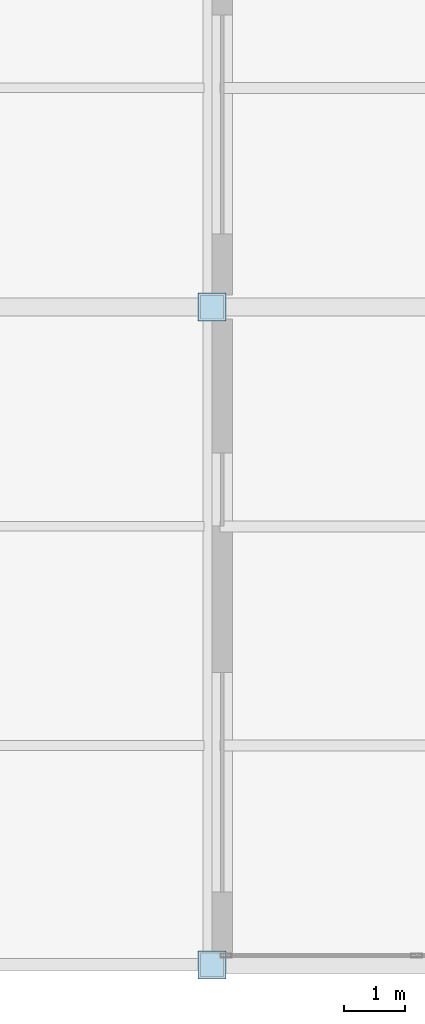
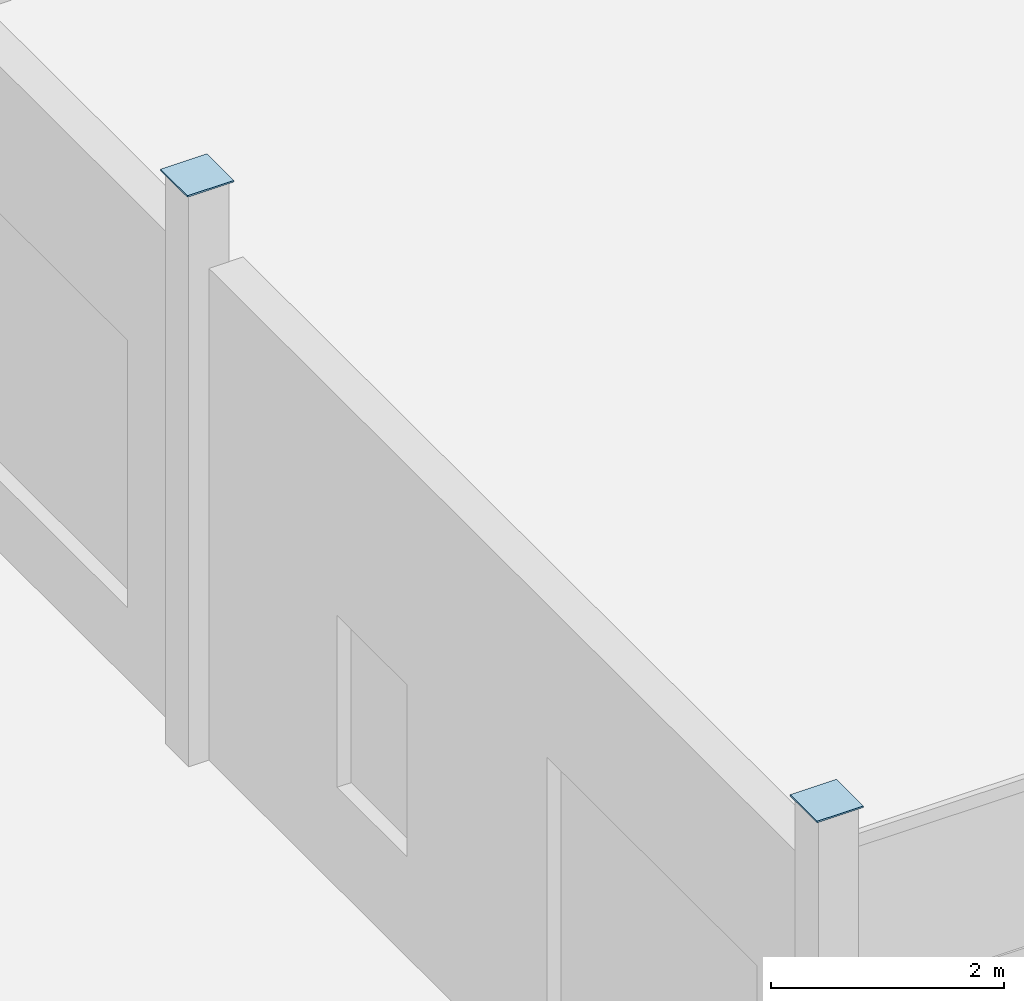
# One storey, part 166 of 191: 2 plates.
"""IFC4 building model written with IfcOpenShell, lengths in metres."""

from ifc_helpers import new_model, si_unit, direction, frame, origin, origin_2d, place, context, subcontext, project, spatial, rectangle, extrude, material, layer, layer_set, type_object, element, save


model = new_model("IFC4")

# Units and contexts
model_context = context("Model", 3, precision=1e-05, world=origin(), true_north=direction((0.0, 1.0)))
body_context = subcontext(model_context, "Body", "Model", "MODEL_VIEW")
ifc_project = project(units=[si_unit("LENGTHUNIT", "METRE"), si_unit("AREAUNIT", "SQUARE_METRE"), si_unit("VOLUMEUNIT", "CUBIC_METRE"), si_unit("PLANEANGLEUNIT", "RADIAN"), si_unit("MASSUNIT", "GRAM", prefix="KILO")], contexts=[model_context])

# Site, building, storey
site_placement = place(None, origin())
site = spatial("IfcSite", under=ifc_project, at=site_placement, CompositionType="ELEMENT")
building_placement = place(site_placement, origin())
building = spatial("IfcBuilding", under=site, at=building_placement, Name="Tamarisk Ironworks Central Station", CompositionType="ELEMENT")
storey_placement = place(building_placement, frame((0.0, 0.0, 6.60009765625)))
storey = spatial("IfcBuildingStorey", under=building, at=storey_placement, Name="L01", CompositionType="ELEMENT", Elevation=6.60009765625)

# Plates
ifc_material = material(Name="Painted structural steel S355J2", Category="steel")
ifc_layer = layer(ifc_material, 0.01611328125)
ifc_layer_set = layer_set([ifc_layer], Name="Painted structural steel S355J2")
plate_type = type_object("IfcPlateType", Name="PL-EC16", PredefinedType="SHEET", material=ifc_layer_set)
for number, where, z_axis, x_axis, name in (
    (1, (140.0, 0.0, 5.991943359375), (0.0, 0.0, 1.0), (1.0, 0.0, 0.0), "Hollow section welded end-cap plate 01"),
    (2, (140.0, 10.800048828125, 5.991943359375), (0.0, 0.0, 1.0), (1.0, 0.0, 0.0), "Hollow section welded end-cap plate 02"),
):
    element("IfcPlate", number, at=place(storey_placement, frame(where, z_axis=z_axis, x_axis=x_axis)), inside=storey, type_object=plate_type, Name=name, PredefinedType="SHEET", context=body_context, shape_type="SweptSolid", body=[
        extrude(rectangle(XDim=0.4599609375, YDim=0.4599609375, at=origin_2d()), origin(), (0.0, 0.0, 1.0), 0.01611328125),
    ])

save(model, "model.ifc")
